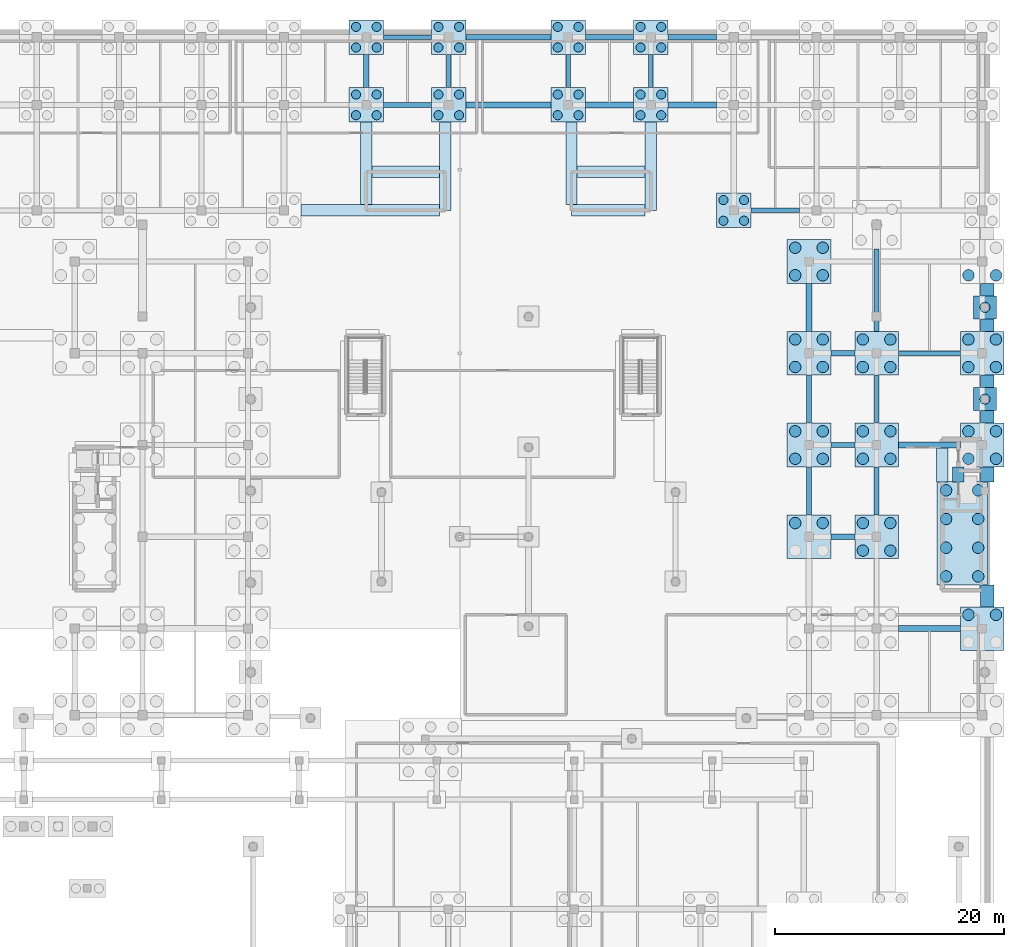
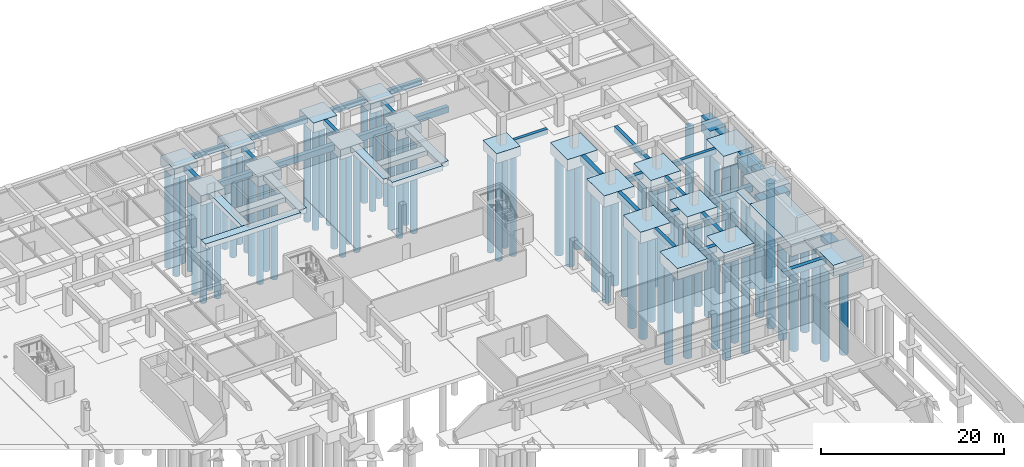
# One storey, part 11 of 35: 84 piles, 63 footings.
"""IFC4 building model written with IfcOpenShell, lengths in metres."""

from ifc_helpers import new_model, si_unit, direction, frame, origin, origin_2d, place, context, subcontext, project, spatial, rectangle, circle, extrude, material, material_profile, profile_set, type_object, element, save


model = new_model("IFC4")

# Units and contexts
model_context = context("Model", 3, precision=1e-05, world=origin(), true_north=direction((0.0, 1.0)))
body_context = subcontext(model_context, "Body", "Model", "MODEL_VIEW")
ifc_project = project(units=[si_unit("LENGTHUNIT", "METRE"), si_unit("AREAUNIT", "SQUARE_METRE"), si_unit("VOLUMEUNIT", "CUBIC_METRE"), si_unit("PLANEANGLEUNIT", "RADIAN"), si_unit("MASSUNIT", "GRAM", prefix="KILO")], contexts=[model_context])

# Site, building, storey
site_placement = place(None, origin())
site = spatial("IfcSite", under=ifc_project, at=site_placement, CompositionType="ELEMENT")
building_placement = place(site_placement, origin())
building = spatial("IfcBuilding", under=site, at=building_placement, Name="Keldmere Railside Commons", CompositionType="ELEMENT")
storey_placement = place(building_placement, frame((0.0, 0.0, -3.840087890625)))
storey = spatial("IfcBuildingStorey", under=building, at=storey_placement, Name="B1", CompositionType="ELEMENT", Elevation=-3.840087890625)

# Piles
ifc_material_1 = material(Name="Concrete H-30 (C30/37)", Category="concrete")
ifc_material_profile_1 = material_profile(ifc_material_1, circle(Radius=0.5, at=origin_2d()), Name="PILE-D1000")
ifc_profile_set_1 = profile_set([ifc_material_profile_1], Name="Concrete H-30 (C30/37)")
pile_type_1 = type_object("IfcPileType", Name="Bored Concrete Pile D1000", PredefinedType="BORED", material=ifc_profile_set_1)
for number, where, z_axis, x_axis, name in (
    (1, (183.199951171875, 68.550048828125, -1.5), (0.0, 0.0, -1.0), (1.0, 0.0, 0.0), "BP-1000 PILE-0021"),
    (2, (183.199951171875, 71.050048828125, -1.5), (0.0, 0.0, -1.0), (1.0, 0.0, 0.0), "BP-1000 PILE-0022"),
    (3, (183.199951171875, 73.550048828125, -1.5), (0.0, 0.0, -1.0), (1.0, 0.0, 0.0), "BP-1000 PILE-0023"),
    (4, (183.199951171875, 76.050048828125, -1.5), (0.0, 0.0, -1.0), (1.0, 0.0, 0.0), "BP-1000 PILE-0024"),
    (5, (180.39990234375, 68.550048828125, -1.5), (0.0, 0.0, -1.0), (1.0, 0.0, 0.0), "BP-1000 PILE-0025"),
    (6, (180.39990234375, 71.050048828125, -1.5), (0.0, 0.0, -1.0), (1.0, 0.0, 0.0), "BP-1000 PILE-0026"),
    (7, (180.39990234375, 73.550048828125, -1.5), (0.0, 0.0, -1.0), (1.0, 0.0, 0.0), "BP-1000 PILE-0027"),
    (8, (180.39990234375, 76.050048828125, -1.5), (0.0, 0.0, -1.0), (1.0, 0.0, 0.0), "BP-1000 PILE-0028"),
):
    element("IfcPile", number, at=place(storey_placement, frame(where, z_axis=z_axis, x_axis=x_axis)), inside=storey, type_object=pile_type_1, Name=name, PredefinedType="BORED", context=body_context, shape_type="SweptSolid", body=[
        extrude(circle(Radius=0.5, at=origin_2d()), origin(), (0.0, 0.0, 1.0), 13.159912109375),
    ])
for number, where, z_axis, x_axis, name in (
    (9, (169.64990234375, 73.199951171875, -1.39990234375), (0.0, 0.0, -1.0), (1.0, 0.0, 0.0), "BP-1000 PILE-0747"),
    (10, (167.25, 73.199951171875, -1.39990234375), (0.0, 0.0, -1.0), (1.0, 0.0, 0.0), "BP-1000 PILE-0748"),
    (11, (167.25, 78.800048828125, -1.39990234375), (0.0, 0.0, -1.0), (1.0, 0.0, 0.0), "BP-1000 PILE-0749"),
    (12, (169.64990234375, 78.800048828125, -1.39990234375), (0.0, 0.0, -1.0), (1.0, 0.0, 0.0), "BP-1000 PILE-0750"),
    (13, (169.64990234375, 81.199951171875, -1.39990234375), (0.0, 0.0, -1.0), (1.0, 0.0, 0.0), "BP-1000 PILE-0751"),
    (14, (167.25, 81.199951171875, -1.39990234375), (0.0, 0.0, -1.0), (1.0, 0.0, 0.0), "BP-1000 PILE-0752"),
    (15, (167.25, 86.800048828125, -1.39990234375), (0.0, 0.0, -1.0), (1.0, 0.0, 0.0), "BP-1000 PILE-0753"),
    (16, (169.64990234375, 86.800048828125, -1.39990234375), (0.0, 0.0, -1.0), (1.0, 0.0, 0.0), "BP-1000 PILE-0754"),
    (17, (169.64990234375, 89.199951171875, -1.39990234375), (0.0, 0.0, -1.0), (1.0, 0.0, 0.0), "BP-1000 PILE-0755"),
    (18, (167.25, 89.199951171875, -1.39990234375), (0.0, 0.0, -1.0), (1.0, 0.0, 0.0), "BP-1000 PILE-0756"),
    (19, (167.25, 94.800048828125, -1.39990234375), (0.0, 0.0, -1.0), (1.0, 0.0, 0.0), "BP-1000 PILE-0757"),
    (20, (169.64990234375, 94.800048828125, -1.39990234375), (0.0, 0.0, -1.0), (1.0, 0.0, 0.0), "BP-1000 PILE-0758"),
    (21, (169.64990234375, 97.199951171875, -1.39990234375), (0.0, 0.0, -1.0), (1.0, 0.0, 0.0), "BP-1000 PILE-0759"),
    (22, (167.25, 97.199951171875, -1.39990234375), (0.0, 0.0, -1.0), (1.0, 0.0, 0.0), "BP-1000 PILE-0760"),
    (23, (173.14990234375, 70.800048828125, -1.39990234375), (0.0, 0.0, -1.0), (1.0, 0.0, 0.0), "BP-1000 PILE-0781"),
    (24, (175.550048828125, 70.800048828125, -1.39990234375), (0.0, 0.0, -1.0), (1.0, 0.0, 0.0), "BP-1000 PILE-0782"),
    (25, (175.550048828125, 73.199951171875, -1.39990234375), (0.0, 0.0, -1.0), (1.0, 0.0, 0.0), "BP-1000 PILE-0783"),
    (26, (173.14990234375, 73.199951171875, -1.39990234375), (0.0, 0.0, -1.0), (1.0, 0.0, 0.0), "BP-1000 PILE-0784"),
    (27, (173.14990234375, 78.800048828125, -1.39990234375), (0.0, 0.0, -1.0), (1.0, 0.0, 0.0), "BP-1000 PILE-0785"),
    (28, (175.550048828125, 78.800048828125, -1.39990234375), (0.0, 0.0, -1.0), (1.0, 0.0, 0.0), "BP-1000 PILE-0786"),
    (29, (175.550048828125, 81.199951171875, -1.39990234375), (0.0, 0.0, -1.0), (1.0, 0.0, 0.0), "BP-1000 PILE-0787"),
    (30, (173.14990234375, 81.199951171875, -1.39990234375), (0.0, 0.0, -1.0), (1.0, 0.0, 0.0), "BP-1000 PILE-0788"),
    (31, (173.14990234375, 86.800048828125, -1.39990234375), (0.0, 0.0, -1.0), (1.0, 0.0, 0.0), "BP-1000 PILE-0789"),
    (32, (175.550048828125, 86.800048828125, -1.39990234375), (0.0, 0.0, -1.0), (1.0, 0.0, 0.0), "BP-1000 PILE-0790"),
    (33, (175.550048828125, 89.199951171875, -1.39990234375), (0.0, 0.0, -1.0), (1.0, 0.0, 0.0), "BP-1000 PILE-0791"),
    (34, (173.14990234375, 89.199951171875, -1.39990234375), (0.0, 0.0, -1.0), (1.0, 0.0, 0.0), "BP-1000 PILE-0792"),
    (35, (184.75, 65.199951171875, -1.39990234375), (0.0, 0.0, -1.0), (1.0, 0.0, 0.0), "BP-1000 PILE-0833"),
    (36, (182.35009765625, 65.199951171875, -1.39990234375), (0.0, 0.0, -1.0), (1.0, 0.0, 0.0), "BP-1000 PILE-0834"),
    (37, (182.35009765625, 78.800048828125, -1.39990234375), (0.0, 0.0, -1.0), (1.0, 0.0, 0.0), "BP-1000 PILE-0835"),
    (38, (184.75, 78.800048828125, -1.39990234375), (0.0, 0.0, -1.0), (1.0, 0.0, 0.0), "BP-1000 PILE-0836"),
    (39, (184.75, 81.199951171875, -1.39990234375), (0.0, 0.0, -1.0), (1.0, 0.0, 0.0), "BP-1000 PILE-0837"),
    (40, (182.35009765625, 81.199951171875, -1.39990234375), (0.0, 0.0, -1.0), (1.0, 0.0, 0.0), "BP-1000 PILE-0838"),
    (41, (182.35009765625, 86.800048828125, -1.39990234375), (0.0, 0.0, -1.0), (1.0, 0.0, 0.0), "BP-1000 PILE-0839"),
    (42, (184.75, 86.800048828125, -1.39990234375), (0.0, 0.0, -1.0), (1.0, 0.0, 0.0), "BP-1000 PILE-0840"),
    (43, (184.75, 89.199951171875, -1.39990234375), (0.0, 0.0, -1.0), (1.0, 0.0, 0.0), "BP-1000 PILE-0841"),
    (44, (182.35009765625, 89.199951171875, -1.39990234375), (0.0, 0.0, -1.0), (1.0, 0.0, 0.0), "BP-1000 PILE-0842"),
    (45, (182.35009765625, 94.800048828125, -1.39990234375), (0.0, 0.0, -1.0), (1.0, 0.0, 0.0), "BP-1000 PILE-0843"),
    (46, (184.75, 94.800048828125, -1.39990234375), (0.0, 0.0, -1.0), (1.0, 0.0, 0.0), "BP-1000 PILE-0844"),
):
    element("IfcPile", number, at=place(storey_placement, frame(where, z_axis=z_axis, x_axis=x_axis)), inside=storey, type_object=pile_type_1, Name=name, PredefinedType="BORED", context=body_context, shape_type="SweptSolid", body=[
        extrude(circle(Radius=0.5, at=origin_2d()), origin(), (0.0, 0.0, 1.0), 13.260009765625),
    ])
ifc_material_profile_2 = material_profile(ifc_material_1, circle(Radius=0.39990234375, at=origin_2d()), Name="PILE-D800")
ifc_profile_set_2 = profile_set([ifc_material_profile_2], Name="Concrete H-30 (C30/37)")
pile_type_2 = type_object("IfcPileType", Name="Bored Concrete Pile D800", PredefinedType="BORED", material=ifc_profile_set_2)
for number, where, z_axis, x_axis, name in (
    (47, (128.967041015625, 108.75, -1.199951171875), (0.0, 0.0, -1.0), (1.0, 0.0, 0.0), "BP-800 PILE-0607"),
    (48, (130.76708984375, 108.75, -1.199951171875), (0.0, 0.0, -1.0), (1.0, 0.0, 0.0), "BP-800 PILE-0608"),
    (49, (130.76708984375, 110.550048828125, -1.199951171875), (0.0, 0.0, -1.0), (1.0, 0.0, 0.0), "BP-800 PILE-0609"),
    (50, (128.967041015625, 110.550048828125, -1.199951171875), (0.0, 0.0, -1.0), (1.0, 0.0, 0.0), "BP-800 PILE-0610"),
    (51, (128.967041015625, 114.64990234375, -1.199951171875), (0.0, 0.0, -1.0), (1.0, 0.0, 0.0), "BP-800 PILE-0611"),
    (52, (130.76708984375, 114.64990234375, -1.199951171875), (0.0, 0.0, -1.0), (1.0, 0.0, 0.0), "BP-800 PILE-0612"),
    (53, (130.76708984375, 116.449951171875, -1.199951171875), (0.0, 0.0, -1.0), (1.0, 0.0, 0.0), "BP-800 PILE-0613"),
    (54, (128.967041015625, 116.449951171875, -1.199951171875), (0.0, 0.0, -1.0), (1.0, 0.0, 0.0), "BP-800 PILE-0614"),
    (55, (136.14990234375, 108.75, -1.199951171875), (0.0, 0.0, -1.0), (1.0, 0.0, 0.0), "BP-800 PILE-0642"),
    (56, (137.949951171875, 108.75, -1.199951171875), (0.0, 0.0, -1.0), (1.0, 0.0, 0.0), "BP-800 PILE-0643"),
    (57, (137.949951171875, 110.550048828125, -1.199951171875), (0.0, 0.0, -1.0), (1.0, 0.0, 0.0), "BP-800 PILE-0644"),
    (58, (136.14990234375, 110.550048828125, -1.199951171875), (0.0, 0.0, -1.0), (1.0, 0.0, 0.0), "BP-800 PILE-0645"),
    (59, (136.14990234375, 114.64990234375, -1.199951171875), (0.0, 0.0, -1.0), (1.0, 0.0, 0.0), "BP-800 PILE-0646"),
    (60, (137.949951171875, 114.64990234375, -1.199951171875), (0.0, 0.0, -1.0), (1.0, 0.0, 0.0), "BP-800 PILE-0647"),
    (61, (137.949951171875, 116.449951171875, -1.199951171875), (0.0, 0.0, -1.0), (1.0, 0.0, 0.0), "BP-800 PILE-0648"),
    (62, (136.14990234375, 116.449951171875, -1.199951171875), (0.0, 0.0, -1.0), (1.0, 0.0, 0.0), "BP-800 PILE-0649"),
    (63, (146.550048828125, 108.75, -1.199951171875), (0.0, 0.0, -1.0), (1.0, 0.0, 0.0), "BP-800 PILE-0656"),
    (64, (148.35009765625, 108.75, -1.199951171875), (0.0, 0.0, -1.0), (1.0, 0.0, 0.0), "BP-800 PILE-0657"),
    (65, (148.35009765625, 110.550048828125, -1.199951171875), (0.0, 0.0, -1.0), (1.0, 0.0, 0.0), "BP-800 PILE-0658"),
    (66, (146.550048828125, 110.550048828125, -1.199951171875), (0.0, 0.0, -1.0), (1.0, 0.0, 0.0), "BP-800 PILE-0659"),
    (67, (146.550048828125, 114.64990234375, -1.199951171875), (0.0, 0.0, -1.0), (1.0, 0.0, 0.0), "BP-800 PILE-0660"),
    (68, (148.35009765625, 114.64990234375, -1.199951171875), (0.0, 0.0, -1.0), (1.0, 0.0, 0.0), "BP-800 PILE-0661"),
    (69, (148.35009765625, 116.449951171875, -1.199951171875), (0.0, 0.0, -1.0), (1.0, 0.0, 0.0), "BP-800 PILE-0662"),
    (70, (146.550048828125, 116.449951171875, -1.199951171875), (0.0, 0.0, -1.0), (1.0, 0.0, 0.0), "BP-800 PILE-0663"),
    (71, (153.77001953125, 108.75, -1.199951171875), (0.0, 0.0, -1.0), (1.0, 0.0, 0.0), "BP-800 PILE-0681"),
    (72, (155.570068359375, 108.75, -1.199951171875), (0.0, 0.0, -1.0), (1.0, 0.0, 0.0), "BP-800 PILE-0682"),
    (73, (155.570068359375, 110.550048828125, -1.199951171875), (0.0, 0.0, -1.0), (1.0, 0.0, 0.0), "BP-800 PILE-0683"),
    (74, (153.77001953125, 110.550048828125, -1.199951171875), (0.0, 0.0, -1.0), (1.0, 0.0, 0.0), "BP-800 PILE-0684"),
    (75, (153.77001953125, 114.64990234375, -1.199951171875), (0.0, 0.0, -1.0), (1.0, 0.0, 0.0), "BP-800 PILE-0685"),
    (76, (155.570068359375, 114.64990234375, -1.199951171875), (0.0, 0.0, -1.0), (1.0, 0.0, 0.0), "BP-800 PILE-0686"),
    (77, (155.570068359375, 116.449951171875, -1.199951171875), (0.0, 0.0, -1.0), (1.0, 0.0, 0.0), "BP-800 PILE-0687"),
    (78, (153.77001953125, 116.449951171875, -1.199951171875), (0.0, 0.0, -1.0), (1.0, 0.0, 0.0), "BP-800 PILE-0688"),
    (79, (160.989990234375, 99.550048828125, -1.199951171875), (0.0, 0.0, -1.0), (1.0, 0.0, 0.0), "BP-800 PILE-0708"),
    (80, (162.7900390625, 99.550048828125, -1.199951171875), (0.0, 0.0, -1.0), (1.0, 0.0, 0.0), "BP-800 PILE-0709"),
    (81, (162.7900390625, 101.35009765625, -1.199951171875), (0.0, 0.0, -1.0), (1.0, 0.0, 0.0), "BP-800 PILE-0710"),
    (82, (160.989990234375, 101.35009765625, -1.199951171875), (0.0, 0.0, -1.0), (1.0, 0.0, 0.0), "BP-800 PILE-0711"),
):
    element("IfcPile", number, at=place(storey_placement, frame(where, z_axis=z_axis, x_axis=x_axis)), inside=storey, type_object=pile_type_2, Name=name, PredefinedType="BORED", context=body_context, shape_type="SweptSolid", body=[
        extrude(circle(Radius=0.39990234375, at=origin_2d()), origin(), (0.0, 0.0, 1.0), 13.4599609375),
    ])
ifc_material_profile_3 = material_profile(ifc_material_1, circle(Radius=0.449951171875, at=origin_2d()), Name="PILE-D900")
ifc_profile_set_3 = profile_set([ifc_material_profile_3], Name="Concrete H-30 (C30/37)")
pile_type_3 = type_object("IfcPileType", Name="Bored Concrete Pile D900", PredefinedType="BORED", material=ifc_profile_set_3)
for number, where, z_axis, x_axis, name in (
    (83, (183.780029296875, 84.0, -1.099853515625), (0.0, 0.0, -1.0), (1.0, 0.0, 0.0), "BP-900 PILE-0860"),
    (84, (183.780029296875, 92.0, -1.099853515625), (0.0, 0.0, -1.0), (1.0, 0.0, 0.0), "BP-900 PILE-0861"),
):
    element("IfcPile", number, at=place(storey_placement, frame(where, z_axis=z_axis, x_axis=x_axis)), inside=storey, type_object=pile_type_3, Name=name, PredefinedType="BORED", context=body_context, shape_type="SweptSolid", body=[
        extrude(circle(Radius=0.449951171875, at=origin_2d()), origin(), (0.0, 0.0, 1.0), 13.56005859375),
    ])

# Footings
ifc_material_2 = material(Name="Concrete H-40 (C40/50)", Category="concrete")
footing_type_1 = type_object("IfcFootingType", Name="Eight-Pile Core Mat Cap 9000x4400x1600", PredefinedType="PILE_CAP", material=ifc_material_2)
footing_1_placement = place(storey_placement, frame((181.800048828125, 72.300048828125, -1.599853515625), z_axis=(0.0, 0.0, 1.0), x_axis=(0.0, 1.0, 0.0)))
element("IfcFooting", 85, at=footing_1_placement, inside=storey, type_object=footing_type_1, Name="PC-13 CAP-CORE-A1", PredefinedType="PILE_CAP", context=body_context, shape_type="SweptSolid", body=[
    extrude(rectangle(XDim=9.0, YDim=4.39990234375, at=origin_2d()), origin(), (0.0, 0.0, 1.0), 1.60009765625),
])
footing_type_2 = type_object("IfcFootingType", Name="Four-Pile Cap 3000x3000x1300", PredefinedType="PILE_CAP", material=ifc_material_2)
for number, where, z_axis, x_axis, name in (
    (86, (129.866943359375, 109.64990234375, -1.2998046875), (0.0, 0.0, 1.0), (1.0, 0.0, 0.0), "PC-04 FTG-252"),
    (87, (129.866943359375, 115.550048828125, -1.2998046875), (0.0, 0.0, 1.0), (1.0, 0.0, 0.0), "PC-04 FTG-253"),
    (88, (137.050048828125, 109.64990234375, -1.2998046875), (0.0, 0.0, 1.0), (1.0, 0.0, 0.0), "PC-04 FTG-262"),
    (89, (137.050048828125, 115.550048828125, -1.2998046875), (0.0, 0.0, 1.0), (1.0, 0.0, 0.0), "PC-04 FTG-263"),
    (90, (147.449951171875, 109.64990234375, -1.2998046875), (0.0, 0.0, 1.0), (1.0, 0.0, 0.0), "PC-04 FTG-270"),
    (91, (147.449951171875, 115.550048828125, -1.2998046875), (0.0, 0.0, 1.0), (1.0, 0.0, 0.0), "PC-04 FTG-271"),
    (92, (154.669921875, 109.64990234375, -1.2998046875), (0.0, 0.0, 1.0), (1.0, 0.0, 0.0), "PC-04 FTG-279"),
    (93, (154.669921875, 115.550048828125, -1.2998046875), (0.0, 0.0, 1.0), (1.0, 0.0, 0.0), "PC-04 FTG-280"),
    (94, (161.889892578125, 100.449951171875, -1.2998046875), (0.0, 0.0, 1.0), (1.0, 0.0, 0.0), "PC-04 FTG-290"),
):
    element("IfcFooting", number, at=place(storey_placement, frame(where, z_axis=z_axis, x_axis=x_axis)), inside=storey, type_object=footing_type_2, Name=name, PredefinedType="PILE_CAP", context=body_context, shape_type="SweptSolid", body=[
        extrude(rectangle(XDim=3.0, YDim=3.0, at=origin_2d()), origin(), (0.0, 0.0, 1.0), 1.300048828125),
    ])
footing_type_3 = type_object("IfcFootingType", Name="Four-Pile D1000 Cap 3800x3800x1500", PredefinedType="PILE_CAP", material=ifc_material_2)
for number, where, z_axis, x_axis, name in (
    (95, (168.449951171875, 72.0, -1.5), (0.0, 0.0, 1.0), (1.0, 0.0, 0.0), "PC-06 FTG-302"),
    (96, (168.449951171875, 80.0, -1.5), (0.0, 0.0, 1.0), (1.0, 0.0, 0.0), "PC-06 FTG-303"),
    (97, (168.449951171875, 88.0, -1.5), (0.0, 0.0, 1.0), (1.0, 0.0, 0.0), "PC-06 FTG-304"),
    (98, (168.449951171875, 96.0, -1.5), (0.0, 0.0, 1.0), (1.0, 0.0, 0.0), "PC-06 FTG-305"),
    (99, (174.35009765625, 72.0, -1.5), (0.0, 0.0, 1.0), (1.0, 0.0, 0.0), "PC-06 FTG-311"),
    (100, (174.35009765625, 80.0, -1.5), (0.0, 0.0, 1.0), (1.0, 0.0, 0.0), "PC-06 FTG-312"),
    (101, (174.35009765625, 88.0, -1.5), (0.0, 0.0, 1.0), (1.0, 0.0, 0.0), "PC-06 FTG-313"),
    (102, (183.550048828125, 64.0, -1.5), (0.0, 0.0, 1.0), (1.0, 0.0, 0.0), "PC-06 FTG-327"),
    (103, (183.550048828125, 80.0, -1.5), (0.0, 0.0, 1.0), (1.0, 0.0, 0.0), "PC-06 FTG-328"),
    (104, (183.550048828125, 88.0, -1.5), (0.0, 0.0, 1.0), (1.0, 0.0, 0.0), "PC-06 FTG-329"),
):
    element("IfcFooting", number, at=place(storey_placement, frame(where, z_axis=z_axis, x_axis=x_axis)), inside=storey, type_object=footing_type_3, Name=name, PredefinedType="PILE_CAP", context=body_context, shape_type="SweptSolid", body=[
        extrude(rectangle(XDim=3.800048828125, YDim=3.800048828125, at=origin_2d()), origin(), (0.0, 0.0, 1.0), 1.5),
    ])
footing_type_4 = type_object("IfcFootingType", Name="Perimeter Ground Tie Beam 400x650", PredefinedType="FOOTING_BEAM", material=ifc_material_2)
footing_2_placement = place(storey_placement, frame((133.45849609375, 115.550048828125, -0.64990234375), z_axis=(0.0, 0.0, 1.0), x_axis=(1.0, 0.0, 0.0)))
element("IfcFooting", 105, at=footing_2_placement, inside=storey, type_object=footing_type_4, Name="GB-03 GB-206", PredefinedType="FOOTING_BEAM", context=body_context, shape_type="SweptSolid", body=[
    extrude(rectangle(XDim=4.18310546875, YDim=0.39990234375, at=origin_2d()), origin(), (0.0, 0.0, 1.0), 0.64990234375),
])
for number, where, z_axis, x_axis, name in (
    (106, (137.050048828125, 112.60009765625, -0.64990234375), (0.0, 0.0, 1.0), (0.0, 1.0, 0.0), "GB-03 GB-215"),
    (107, (147.449951171875, 112.60009765625, -0.64990234375), (0.0, 0.0, 1.0), (0.0, 1.0, 0.0), "GB-03 GB-221"),
    (108, (154.669921875, 112.60009765625, -0.64990234375), (0.0, 0.0, 1.0), (0.0, 1.0, 0.0), "GB-03 GB-233"),
):
    element("IfcFooting", number, at=place(storey_placement, frame(where, z_axis=z_axis, x_axis=x_axis)), inside=storey, type_object=footing_type_4, Name=name, PredefinedType="FOOTING_BEAM", context=body_context, shape_type="SweptSolid", body=[
        extrude(rectangle(XDim=2.89990234375, YDim=0.39990234375, at=origin_2d()), origin(), (0.0, 0.0, 1.0), 0.64990234375),
    ])
footing_3_placement = place(storey_placement, frame((165.5, 100.449951171875, -0.64990234375), z_axis=(0.0, 0.0, 1.0), x_axis=(1.0, 0.0, 0.0)))
element("IfcFooting", 109, at=footing_3_placement, inside=storey, type_object=footing_type_4, Name="GB-03 GB-248", PredefinedType="FOOTING_BEAM", context=body_context, shape_type="SweptSolid", body=[
    extrude(rectangle(XDim=4.219970703125, YDim=0.39990234375, at=origin_2d()), origin(), (0.0, 0.0, 1.0), 0.64990234375),
])
footing_4_placement = place(storey_placement, frame((168.449951171875, 76.0, -0.64990234375), z_axis=(0.0, 0.0, 1.0), x_axis=(0.0, 1.0, 0.0)))
element("IfcFooting", 110, at=footing_4_placement, inside=storey, type_object=footing_type_4, Name="GB-03 GB-266", PredefinedType="FOOTING_BEAM", context=body_context, shape_type="SweptSolid", body=[
    extrude(rectangle(XDim=4.199951171875, YDim=0.39990234375, at=origin_2d()), origin(), (0.0, 0.0, 1.0), 0.64990234375),
])
footing_5_placement = place(storey_placement, frame((171.39990234375, 80.0, -0.64990234375), z_axis=(0.0, 0.0, 1.0), x_axis=(1.0, 0.0, 0.0)))
element("IfcFooting", 111, at=footing_5_placement, inside=storey, type_object=footing_type_4, Name="GB-03 GB-269", PredefinedType="FOOTING_BEAM", context=body_context, shape_type="SweptSolid", body=[
    extrude(rectangle(XDim=2.10009765625, YDim=0.39990234375, at=origin_2d()), origin(), (0.0, 0.0, 1.0), 0.64990234375),
])
footing_6_placement = place(storey_placement, frame((174.35009765625, 84.0, -0.64990234375), z_axis=(0.0, 0.0, 1.0), x_axis=(0.0, 1.0, 0.0)))
element("IfcFooting", 112, at=footing_6_placement, inside=storey, type_object=footing_type_4, Name="GB-03 GB-281", PredefinedType="FOOTING_BEAM", context=body_context, shape_type="SweptSolid", body=[
    extrude(rectangle(XDim=4.199951171875, YDim=0.39990234375, at=origin_2d()), origin(), (0.0, 0.0, 1.0), 0.64990234375),
])
footing_7_placement = place(storey_placement, frame((178.949951171875, 88.0, -0.64990234375), z_axis=(0.0, 0.0, 1.0), x_axis=(1.0, 0.0, 0.0)))
element("IfcFooting", 113, at=footing_7_placement, inside=storey, type_object=footing_type_4, Name="GB-03 GB-284", PredefinedType="FOOTING_BEAM", context=body_context, shape_type="SweptSolid", body=[
    extrude(rectangle(XDim=5.39990234375, YDim=0.39990234375, at=origin_2d()), origin(), (0.0, 0.0, 1.0), 0.64990234375),
])
footing_type_5 = type_object("IfcFootingType", Name="Primary Ground Tie Beam 500x800", PredefinedType="FOOTING_BEAM", material=ifc_material_2)
footing_8_placement = place(storey_placement, frame((129.866943359375, 112.60009765625, -0.7998046875), z_axis=(0.0, 0.0, 1.0), x_axis=(0.0, 1.0, 0.0)))
element("IfcFooting", 114, at=footing_8_placement, inside=storey, type_object=footing_type_5, Name="GB-01 GB-204", PredefinedType="FOOTING_BEAM", context=body_context, shape_type="SweptSolid", body=[
    extrude(rectangle(XDim=2.89990234375, YDim=0.5, at=origin_2d()), origin(), (0.0, 0.0, 1.0), 0.800048828125),
])
footing_9_placement = place(storey_placement, frame((142.25, 109.64990234375, -0.7998046875), z_axis=(0.0, 0.0, 1.0), x_axis=(1.0, 0.0, 0.0)))
element("IfcFooting", 115, at=footing_9_placement, inside=storey, type_object=footing_type_5, Name="GB-01 GB-216", PredefinedType="FOOTING_BEAM", context=body_context, shape_type="SweptSolid", body=[
    extrude(rectangle(XDim=7.39990234375, YDim=0.5, at=origin_2d()), origin(), (0.0, 0.0, 1.0), 0.800048828125),
])
for number, where, z_axis, x_axis, name in (
    (116, (151.06005859375, 109.64990234375, -0.7998046875), (0.0, 0.0, 1.0), (1.0, 0.0, 0.0), "GB-01 GB-222"),
    (117, (158.280029296875, 109.64990234375, -0.7998046875), (0.0, 0.0, 1.0), (1.0, 0.0, 0.0), "GB-01 GB-234"),
):
    element("IfcFooting", number, at=place(storey_placement, frame(where, z_axis=z_axis, x_axis=x_axis)), inside=storey, type_object=footing_type_5, Name=name, PredefinedType="FOOTING_BEAM", context=body_context, shape_type="SweptSolid", body=[
        extrude(rectangle(XDim=4.219970703125, YDim=0.5, at=origin_2d()), origin(), (0.0, 0.0, 1.0), 0.800048828125),
    ])
footing_10_placement = place(storey_placement, frame((171.39990234375, 72.0, -0.7998046875), z_axis=(0.0, 0.0, 1.0), x_axis=(1.0, 0.0, 0.0)))
element("IfcFooting", 118, at=footing_10_placement, inside=storey, type_object=footing_type_5, Name="GB-01 GB-267", PredefinedType="FOOTING_BEAM", context=body_context, shape_type="SweptSolid", body=[
    extrude(rectangle(XDim=2.10009765625, YDim=0.5, at=origin_2d()), origin(), (0.0, 0.0, 1.0), 0.800048828125),
])
footing_11_placement = place(storey_placement, frame((168.449951171875, 92.0, -0.7998046875), z_axis=(0.0, 0.0, 1.0), x_axis=(0.0, 1.0, 0.0)))
element("IfcFooting", 119, at=footing_11_placement, inside=storey, type_object=footing_type_5, Name="GB-01 GB-270", PredefinedType="FOOTING_BEAM", context=body_context, shape_type="SweptSolid", body=[
    extrude(rectangle(XDim=4.199951171875, YDim=0.5, at=origin_2d()), origin(), (0.0, 0.0, 1.0), 0.800048828125),
])
for number, where, z_axis, x_axis, name in (
    (120, (178.949951171875, 64.0, -0.7998046875), (0.0, 0.0, 1.0), (1.0, 0.0, 0.0), "GB-01 GB-279"),
    (121, (178.949951171875, 80.0, -0.7998046875), (0.0, 0.0, 1.0), (1.0, 0.0, 0.0), "GB-01 GB-282"),
):
    element("IfcFooting", number, at=place(storey_placement, frame(where, z_axis=z_axis, x_axis=x_axis)), inside=storey, type_object=footing_type_5, Name=name, PredefinedType="FOOTING_BEAM", context=body_context, shape_type="SweptSolid", body=[
        extrude(rectangle(XDim=5.39990234375, YDim=0.5, at=origin_2d()), origin(), (0.0, 0.0, 1.0), 0.800048828125),
    ])
footing_type_6 = type_object("IfcFootingType", Name="Ramp Wall Strip Footing 1000x650", PredefinedType="STRIP_FOOTING", material=ifc_material_2)
footing_12_placement = place(storey_placement, frame((154.64990234375, 104.300048828125, -0.64990234375), z_axis=(0.0, 0.0, 1.0), x_axis=(0.0, 1.0, 0.0)))
element("IfcFooting", 122, at=footing_12_placement, inside=storey, type_object=footing_type_6, Name="SF-02 WSF-028", PredefinedType="STRIP_FOOTING", context=body_context, shape_type="SweptSolid", body=[
    extrude(rectangle(XDim=7.699951171875, YDim=1.0, at=origin_2d()), origin(), (0.0, 0.0, 1.0), 0.64990234375),
])
footing_13_placement = place(storey_placement, frame((151.199951171875, 103.820068359375, -0.64990234375), z_axis=(0.0, 0.0, 1.0), x_axis=(1.0, 0.0, 0.0)))
element("IfcFooting", 123, at=footing_13_placement, inside=storey, type_object=footing_type_6, Name="SF-02 WSF-029", PredefinedType="STRIP_FOOTING", context=body_context, shape_type="SweptSolid", body=[
    extrude(rectangle(XDim=5.89990234375, YDim=1.0, at=origin_2d()), origin(), (0.0, 0.0, 1.0), 0.64990234375),
])
footing_14_placement = place(storey_placement, frame((150.949951171875, 100.449951171875, -0.64990234375), z_axis=(0.0, 0.0, 1.0), x_axis=(1.0, 0.0, 0.0)))
element("IfcFooting", 124, at=footing_14_placement, inside=storey, type_object=footing_type_6, Name="SF-02 WSF-030", PredefinedType="STRIP_FOOTING", context=body_context, shape_type="SweptSolid", body=[
    extrude(rectangle(XDim=6.39990234375, YDim=1.0, at=origin_2d()), origin(), (0.0, 0.0, 1.0), 0.64990234375),
])
footing_15_placement = place(storey_placement, frame((147.75, 104.550048828125, -0.64990234375), z_axis=(0.0, 0.0, 1.0), x_axis=(0.0, 1.0, 0.0)))
element("IfcFooting", 125, at=footing_15_placement, inside=storey, type_object=footing_type_6, Name="SF-02 WSF-031", PredefinedType="STRIP_FOOTING", context=body_context, shape_type="SweptSolid", body=[
    extrude(rectangle(XDim=7.199951171875, YDim=1.0, at=origin_2d()), origin(), (0.0, 0.0, 1.0), 0.64990234375),
])
footing_16_placement = place(storey_placement, frame((180.06005859375, 78.39990234375, -0.64990234375), z_axis=(0.0, 0.0, 1.0), x_axis=(0.0, 1.0, 0.0)))
element("IfcFooting", 126, at=footing_16_placement, inside=storey, type_object=footing_type_6, Name="SF-02 WSF-032", PredefinedType="STRIP_FOOTING", context=body_context, shape_type="SweptSolid", body=[
    extrude(rectangle(XDim=3.199951171875, YDim=1.0, at=origin_2d()), origin(), (0.0, 0.0, 1.0), 0.64990234375),
])
footing_17_placement = place(storey_placement, frame((136.75, 104.300048828125, -0.64990234375), z_axis=(0.0, 0.0, 1.0), x_axis=(0.0, 1.0, 0.0)))
element("IfcFooting", 127, at=footing_17_placement, inside=storey, type_object=footing_type_6, Name="SF-02 WSF-033", PredefinedType="STRIP_FOOTING", context=body_context, shape_type="SweptSolid", body=[
    extrude(rectangle(XDim=7.699951171875, YDim=1.0, at=origin_2d()), origin(), (0.0, 0.0, 1.0), 0.64990234375),
])
footing_18_placement = place(storey_placement, frame((133.300048828125, 103.820068359375, -0.64990234375), z_axis=(0.0, 0.0, 1.0), x_axis=(1.0, 0.0, 0.0)))
element("IfcFooting", 128, at=footing_18_placement, inside=storey, type_object=footing_type_6, Name="SF-02 WSF-034", PredefinedType="STRIP_FOOTING", context=body_context, shape_type="SweptSolid", body=[
    extrude(rectangle(XDim=5.89990234375, YDim=1.0, at=origin_2d()), origin(), (0.0, 0.0, 1.0), 0.64990234375),
])
footing_19_placement = place(storey_placement, frame((130.216552734375, 100.449951171875, -0.64990234375), z_axis=(0.0, 0.0, 1.0), x_axis=(1.0, 0.0, 0.0)))
element("IfcFooting", 129, at=footing_19_placement, inside=storey, type_object=footing_type_6, Name="SF-02 WSF-035", PredefinedType="STRIP_FOOTING", context=body_context, shape_type="SweptSolid", body=[
    extrude(rectangle(XDim=12.06689453125, YDim=1.0, at=origin_2d()), origin(), (0.0, 0.0, 1.0), 0.64990234375),
])
footing_20_placement = place(storey_placement, frame((129.85009765625, 104.550048828125, -0.64990234375), z_axis=(0.0, 0.0, 1.0), x_axis=(0.0, 1.0, 0.0)))
element("IfcFooting", 130, at=footing_20_placement, inside=storey, type_object=footing_type_6, Name="SF-02 WSF-036", PredefinedType="STRIP_FOOTING", context=body_context, shape_type="SweptSolid", body=[
    extrude(rectangle(XDim=7.199951171875, YDim=1.0, at=origin_2d()), origin(), (0.0, 0.0, 1.0), 0.64990234375),
])
footing_21_placement = place(storey_placement, frame((181.469970703125, 77.449951171875, -0.64990234375), z_axis=(0.0, 0.0, 1.0), x_axis=(0.0, 1.0, 0.0)))
element("IfcFooting", 131, at=footing_21_placement, inside=storey, type_object=footing_type_6, Name="SF-02 WSF-063", PredefinedType="STRIP_FOOTING", context=body_context, shape_type="SweptSolid", body=[
    extrude(rectangle(XDim=1.300048828125, YDim=1.0, at=origin_2d()), origin(), (0.0, 0.0, 1.0), 0.64990234375),
])
footing_type_7 = type_object("IfcFootingType", Name="Retaining Wall Strip Footing 1200x750", PredefinedType="STRIP_FOOTING", material=ifc_material_2)
footing_22_placement = place(storey_placement, frame((184.0, 66.85009765625, -0.75), z_axis=(0.0, 0.0, 1.0), x_axis=(0.0, 1.0, 0.0)))
element("IfcFooting", 132, at=footing_22_placement, inside=storey, type_object=footing_type_7, Name="SF-01 WSF-008", PredefinedType="STRIP_FOOTING", context=body_context, shape_type="SweptSolid", body=[
    extrude(rectangle(XDim=1.89990234375, YDim=1.199951171875, at=origin_2d()), origin(), (0.0, 0.0, 1.0), 0.75),
])
footing_23_placement = place(storey_placement, frame((184.0, 77.449951171875, -0.75), z_axis=(0.0, 0.0, 1.0), x_axis=(0.0, 1.0, 0.0)))
element("IfcFooting", 133, at=footing_23_placement, inside=storey, type_object=footing_type_7, Name="SF-01 WSF-009", PredefinedType="STRIP_FOOTING", context=body_context, shape_type="SweptSolid", body=[
    extrude(rectangle(XDim=1.300048828125, YDim=1.199951171875, at=origin_2d()), origin(), (0.0, 0.0, 1.0), 0.75),
])
for number, where, z_axis, x_axis, name in (
    (134, (184.0, 82.449951171875, -0.75), (0.0, 0.0, 1.0), (0.0, 1.0, 0.0), "SF-01 WSF-010"),
    (135, (184.0, 85.550048828125, -0.75), (0.0, 0.0, 1.0), (0.0, 1.0, 0.0), "SF-01 WSF-011"),
    (136, (184.0, 90.449951171875, -0.75), (0.0, 0.0, 1.0), (0.0, 1.0, 0.0), "SF-01 WSF-012"),
    (137, (184.0, 93.550048828125, -0.75), (0.0, 0.0, 1.0), (0.0, 1.0, 0.0), "SF-01 WSF-013"),
):
    element("IfcFooting", number, at=place(storey_placement, frame(where, z_axis=z_axis, x_axis=x_axis)), inside=storey, type_object=footing_type_7, Name=name, PredefinedType="STRIP_FOOTING", context=body_context, shape_type="SweptSolid", body=[
        extrude(rectangle(XDim=1.10009765625, YDim=1.199951171875, at=origin_2d()), origin(), (0.0, 0.0, 1.0), 0.75),
    ])
footing_type_8 = type_object("IfcFootingType", Name="Secondary Ground Tie Beam 450x700", PredefinedType="FOOTING_BEAM", material=ifc_material_2)
footing_24_placement = place(storey_placement, frame((133.45849609375, 109.64990234375, -0.69970703125), z_axis=(0.0, 0.0, 1.0), x_axis=(1.0, 0.0, 0.0)))
element("IfcFooting", 138, at=footing_24_placement, inside=storey, type_object=footing_type_8, Name="GB-02 GB-205", PredefinedType="FOOTING_BEAM", context=body_context, shape_type="SweptSolid", body=[
    extrude(rectangle(XDim=4.18310546875, YDim=0.449951171875, at=origin_2d()), origin(), (0.0, 0.0, 1.0), 0.699951171875),
])
footing_25_placement = place(storey_placement, frame((142.25, 115.550048828125, -0.69970703125), z_axis=(0.0, 0.0, 1.0), x_axis=(1.0, 0.0, 0.0)))
element("IfcFooting", 139, at=footing_25_placement, inside=storey, type_object=footing_type_8, Name="GB-02 GB-217", PredefinedType="FOOTING_BEAM", context=body_context, shape_type="SweptSolid", body=[
    extrude(rectangle(XDim=7.39990234375, YDim=0.449951171875, at=origin_2d()), origin(), (0.0, 0.0, 1.0), 0.699951171875),
])
for number, where, z_axis, x_axis, name in (
    (140, (151.06005859375, 115.550048828125, -0.69970703125), (0.0, 0.0, 1.0), (1.0, 0.0, 0.0), "GB-02 GB-223"),
    (141, (158.280029296875, 115.550048828125, -0.69970703125), (0.0, 0.0, 1.0), (1.0, 0.0, 0.0), "GB-02 GB-235"),
):
    element("IfcFooting", number, at=place(storey_placement, frame(where, z_axis=z_axis, x_axis=x_axis)), inside=storey, type_object=footing_type_8, Name=name, PredefinedType="FOOTING_BEAM", context=body_context, shape_type="SweptSolid", body=[
        extrude(rectangle(XDim=4.219970703125, YDim=0.449951171875, at=origin_2d()), origin(), (0.0, 0.0, 1.0), 0.699951171875),
    ])
footing_26_placement = place(storey_placement, frame((168.449951171875, 84.0, -0.69970703125), z_axis=(0.0, 0.0, 1.0), x_axis=(0.0, 1.0, 0.0)))
element("IfcFooting", 142, at=footing_26_placement, inside=storey, type_object=footing_type_8, Name="GB-02 GB-268", PredefinedType="FOOTING_BEAM", context=body_context, shape_type="SweptSolid", body=[
    extrude(rectangle(XDim=4.199951171875, YDim=0.449951171875, at=origin_2d()), origin(), (0.0, 0.0, 1.0), 0.699951171875),
])
footing_27_placement = place(storey_placement, frame((171.39990234375, 88.0, -0.69970703125), z_axis=(0.0, 0.0, 1.0), x_axis=(1.0, 0.0, 0.0)))
element("IfcFooting", 143, at=footing_27_placement, inside=storey, type_object=footing_type_8, Name="GB-02 GB-271", PredefinedType="FOOTING_BEAM", context=body_context, shape_type="SweptSolid", body=[
    extrude(rectangle(XDim=2.10009765625, YDim=0.449951171875, at=origin_2d()), origin(), (0.0, 0.0, 1.0), 0.699951171875),
])
footing_28_placement = place(storey_placement, frame((174.35009765625, 76.0, -0.69970703125), z_axis=(0.0, 0.0, 1.0), x_axis=(0.0, 1.0, 0.0)))
element("IfcFooting", 144, at=footing_28_placement, inside=storey, type_object=footing_type_8, Name="GB-02 GB-280", PredefinedType="FOOTING_BEAM", context=body_context, shape_type="SweptSolid", body=[
    extrude(rectangle(XDim=4.199951171875, YDim=0.449951171875, at=origin_2d()), origin(), (0.0, 0.0, 1.0), 0.699951171875),
])
footing_29_placement = place(storey_placement, frame((174.35009765625, 93.5, -0.69970703125), z_axis=(0.0, 0.0, 1.0), x_axis=(0.0, 1.0, 0.0)))
element("IfcFooting", 145, at=footing_29_placement, inside=storey, type_object=footing_type_8, Name="GB-02 GB-283", PredefinedType="FOOTING_BEAM", context=body_context, shape_type="SweptSolid", body=[
    extrude(rectangle(XDim=7.199951171875, YDim=0.449951171875, at=origin_2d()), origin(), (0.0, 0.0, 1.0), 0.699951171875),
])
footing_type_9 = type_object("IfcFootingType", Name="Single-Pile Cap 2000x2000x1200", PredefinedType="PILE_CAP", material=ifc_material_2)
for number, where, z_axis, x_axis, name in (
    (146, (183.780029296875, 84.0, -1.19970703125), (0.0, 0.0, 1.0), (1.0, 0.0, 0.0), "PC-02 FTG-335"),
    (147, (183.780029296875, 92.0, -1.19970703125), (0.0, 0.0, 1.0), (1.0, 0.0, 0.0), "PC-02 FTG-336"),
):
    element("IfcFooting", number, at=place(storey_placement, frame(where, z_axis=z_axis, x_axis=x_axis)), inside=storey, type_object=footing_type_9, Name=name, PredefinedType="PILE_CAP", context=body_context, shape_type="SweptSolid", body=[
        extrude(rectangle(XDim=2.0, YDim=2.0, at=origin_2d()), origin(), (0.0, 0.0, 1.0), 1.199951171875),
    ])

save(model, "model.ifc")
